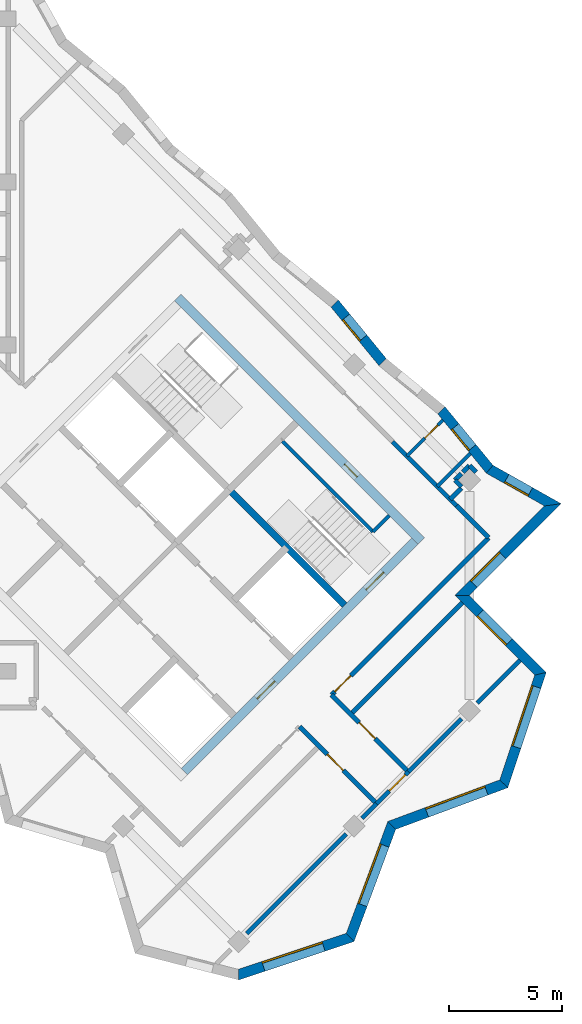
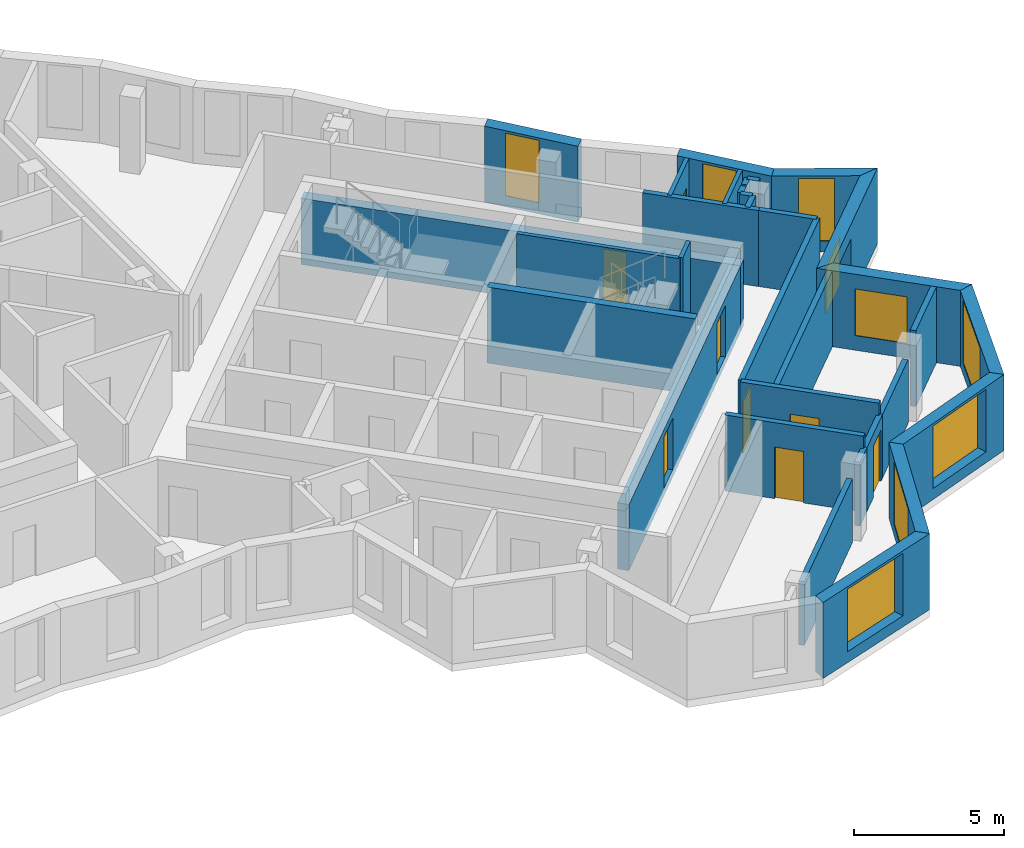
# One storey, part 7 of 12: 32 walls, 9 windows, 8 doors, 17 openings.
"""IFC4 building model written with IfcOpenShell, lengths in metres."""

from ifc_helpers import new_model, si_unit, direction, frame, frame_2d, origin, place, context, subcontext, project, spatial, polyline, rectangle, outline, extrude, material, layer, layer_set, type_object, element, fill, save


model = new_model("IFC4")

# Units and contexts
model_context = context("Model", 3, precision=1e-05, world=origin(), true_north=direction((0.0, 1.0)))
body_context = subcontext(model_context, "Body", "Model", "MODEL_VIEW")
ifc_project = project(units=[si_unit("LENGTHUNIT", "METRE"), si_unit("AREAUNIT", "SQUARE_METRE"), si_unit("VOLUMEUNIT", "CUBIC_METRE"), si_unit("PLANEANGLEUNIT", "RADIAN"), si_unit("MASSUNIT", "GRAM", prefix="KILO")], contexts=[model_context])

# Site, building, storey
site_placement = place(None, origin())
site = spatial("IfcSite", under=ifc_project, at=site_placement, CompositionType="ELEMENT")
building_placement = place(site_placement, origin())
building = spatial("IfcBuilding", under=site, at=building_placement, Name="Windrow Commons", CompositionType="ELEMENT")
storey_placement = place(building_placement, frame((0.0, 0.0, 247.2)))
storey = spatial("IfcBuildingStorey", under=building, at=storey_placement, Name="L67", CompositionType="ELEMENT", Elevation=247.2)

# Wall, opening, window
ifc_material_1 = material(Name="Brick masonry, red clay brick", Category="masonry")
ifc_layer_1 = layer(ifc_material_1, 0.45)
ifc_layer_set_1 = layer_set([ifc_layer_1], Name="Brick facade wall 450")
wall_type_1 = type_object("IfcWallType", Name="Brick facade wall 450", PredefinedType="SOLIDWALL", material=ifc_layer_set_1)
wall_1_placement = place(storey_placement, frame((89.3741, 29.808, 0.0), z_axis=(0.0, 0.0, 1.0), x_axis=(0.9486832981, 0.316227766, 0.0)))
wall_1 = element("IfcWall", 1, at=wall_1_placement, inside=storey, type_object=wall_type_1, Name="Brick facade wall L67 1", PredefinedType="SOLIDWALL", context=body_context, shape_type="SweptSolid", body=[
    extrude(outline(polyline([(-0.0664, -0.225), (5.3002, -0.225), (5.0846, 0.225), (0.0664, 0.225), (-0.0664, -0.225)])), origin(), (0.0, 0.0, 1.0), 3.1),
])
opening_1_placement = place(wall_1_placement, frame((1.1571, 0.0, 0.45)))
opening_1 = element("IfcOpeningElement", 2, at=opening_1_placement, cuts=wall_1, Name="Opening W1V", PredefinedType="OPENING", context=body_context, shape_type="SweptSolid", body=[
    extrude(rectangle(XDim=2.8, YDim=2.55, at=frame_2d((1.4, 1.275))), frame((0.0, 0.235, 0.0), z_axis=(0.0, -1.0, 0.0), x_axis=(1.0, 0.0, 0.0)), (0.0, 0.0, 1.0), 0.47),
])
ifc_material_2 = material(Name="Clear float glass in anodised aluminium frame", Category="aluminium")
window_type_1 = type_object("IfcWindowType", Name="Window W1V bedroom 2800x2550", PartitioningType="SINGLE_PANEL", PredefinedType="WINDOW", material=ifc_material_2)
window_1_placement = place(opening_1_placement, origin())
window_1 = element("IfcWindow", 3, at=window_1_placement, inside=storey, type_object=window_type_1, Name="Window L67 1.1", OverallHeight=2.55, OverallWidth=2.8, PartitioningType="SINGLE_PANEL", PredefinedType="WINDOW", context=body_context, shape_type="SweptSolid", body=[
    extrude(rectangle(XDim=2.8, YDim=2.55, at=frame_2d((1.4, 1.275))), frame((0.0, 0.205, 0.0), z_axis=(0.0, -1.0, 0.0), x_axis=(1.0, 0.0, 0.0)), (0.0, 0.0, 1.0), 0.06),
])
fill(opening_1, window_1)

wall_2_placement = place(storey_placement, frame((94.3001, 31.45, 0.0), z_axis=(0.0, 0.0, 1.0), x_axis=(0.3481927166, 0.9374229739, 0.0)))
wall_2 = element("IfcWall", 4, at=wall_2_placement, inside=storey, type_object=wall_type_1, Name="Brick facade wall L67 2", PredefinedType="SOLIDWALL", context=body_context, shape_type="SweptSolid", body=[
    extrude(outline(polyline([(-0.1078, -0.225), (5.1724, -0.225), (5.3786, 0.225), (0.1078, 0.225), (-0.1078, -0.225)])), origin(), (0.0, 0.0, 1.0), 3.1),
])
opening_2_placement = place(wall_2_placement, frame((1.5336, 0.0, 0.45)))
opening_2 = element("IfcOpeningElement", 5, at=opening_2_placement, cuts=wall_2, Name="Opening W1V", PredefinedType="OPENING", context=body_context, shape_type="SweptSolid", body=[
    extrude(rectangle(XDim=2.8, YDim=2.55, at=frame_2d((1.4, 1.275))), frame((0.0, 0.235, 0.0), z_axis=(0.0, -1.0, 0.0), x_axis=(1.0, 0.0, 0.0)), (0.0, 0.0, 1.0), 0.47),
])
window_2_placement = place(opening_2_placement, origin())
window_2 = element("IfcWindow", 6, at=window_2_placement, inside=storey, type_object=window_type_1, Name="Window L67 2.1", OverallHeight=2.55, OverallWidth=2.8, PartitioningType="SINGLE_PANEL", PredefinedType="WINDOW", context=body_context, shape_type="SweptSolid", body=[
    extrude(rectangle(XDim=2.8, YDim=2.55, at=frame_2d((1.4, 1.275))), frame((0.0, 0.205, 0.0), z_axis=(0.0, -1.0, 0.0), x_axis=(1.0, 0.0, 0.0)), (0.0, 0.0, 1.0), 0.06),
])
fill(opening_2, window_2)

wall_3_placement = place(storey_placement, frame((96.137, 36.3954, 0.0), z_axis=(0.0, 0.0, 1.0), x_axis=(0.937429161, 0.3481760591, 0.0)))
wall_3 = element("IfcWall", 7, at=wall_3_placement, inside=storey, type_object=wall_type_1, Name="Brick facade wall L67 3", PredefinedType="SOLIDWALL", context=body_context, shape_type="SweptSolid", body=[
    extrude(outline(polyline([(0.1031, -0.225), (5.3833, -0.225), (5.1677, 0.225), (-0.1031, 0.225), (0.1031, -0.225)])), origin(), (0.0, 0.0, 1.0), 3.1),
])
opening_3_placement = place(wall_3_placement, frame((1.6509, 0.0, 0.45)))
opening_3 = element("IfcOpeningElement", 8, at=opening_3_placement, cuts=wall_3, Name="Opening W1V", PredefinedType="OPENING", context=body_context, shape_type="SweptSolid", body=[
    extrude(rectangle(XDim=2.8, YDim=2.55, at=frame_2d((1.4, 1.275))), frame((0.0, 0.235, 0.0), z_axis=(0.0, -1.0, 0.0), x_axis=(1.0, 0.0, 0.0)), (0.0, 0.0, 1.0), 0.47),
])
window_3_placement = place(opening_3_placement, origin())
window_3 = element("IfcWindow", 9, at=window_3_placement, inside=storey, type_object=window_type_1, Name="Window L67 3.1", OverallHeight=2.55, OverallWidth=2.8, PartitioningType="SINGLE_PANEL", PredefinedType="WINDOW", context=body_context, shape_type="SweptSolid", body=[
    extrude(rectangle(XDim=2.8, YDim=2.55, at=frame_2d((1.4, 1.275))), frame((0.0, 0.205, 0.0), z_axis=(0.0, -1.0, 0.0), x_axis=(1.0, 0.0, 0.0)), (0.0, 0.0, 1.0), 0.06),
])
fill(opening_3, window_3)

wall_4_placement = place(storey_placement, frame((101.0824, 38.2322, 0.0), z_axis=(0.0, 0.0, 1.0), x_axis=(0.316227766, 0.9486832981, 0.0)))
wall_4 = element("IfcWall", 10, at=wall_4_placement, inside=storey, type_object=wall_type_1, Name="Brick facade wall L67 4", PredefinedType="SOLIDWALL", context=body_context, shape_type="SweptSolid", body=[
    extrude(outline(polyline([(-0.1078, -0.225), (5.2588, -0.225), (4.9807, 0.225), (0.1078, 0.225), (-0.1078, -0.225)])), origin(), (0.0, 0.0, 1.0), 3.1),
])
opening_4_placement = place(wall_4_placement, frame((1.7112, 0.0, 0.45)))
opening_4 = element("IfcOpeningElement", 11, at=opening_4_placement, cuts=wall_4, Name="Opening W1V", PredefinedType="OPENING", context=body_context, shape_type="SweptSolid", body=[
    extrude(rectangle(XDim=2.8, YDim=2.55, at=frame_2d((1.4, 1.275))), frame((0.0, 0.235, 0.0), z_axis=(0.0, -1.0, 0.0), x_axis=(1.0, 0.0, 0.0)), (0.0, 0.0, 1.0), 0.47),
])
window_4_placement = place(opening_4_placement, origin())
window_4 = element("IfcWindow", 12, at=window_4_placement, inside=storey, type_object=window_type_1, Name="Window L67 4.1", OverallHeight=2.55, OverallWidth=2.8, PartitioningType="SINGLE_PANEL", PredefinedType="WINDOW", context=body_context, shape_type="SweptSolid", body=[
    extrude(rectangle(XDim=2.8, YDim=2.55, at=frame_2d((1.4, 1.275))), frame((0.0, 0.205, 0.0), z_axis=(0.0, -1.0, 0.0), x_axis=(1.0, 0.0, 0.0)), (0.0, 0.0, 1.0), 0.06),
])
fill(opening_4, window_4)

wall_5_placement = place(storey_placement, frame((102.7014, 43.0892, 0.0), z_axis=(0.0, 0.0, 1.0), x_axis=(-0.7070965479, 0.7071170144, 0.0)))
wall_5 = element("IfcWall", 13, at=wall_5_placement, inside=storey, type_object=wall_type_1, Name="Brick facade wall L67 5", PredefinedType="SOLIDWALL", context=body_context, shape_type="SweptSolid", body=[
    extrude(outline(polyline([(-0.1391, -0.225), (4.661, -0.225), (5.111, 0.225), (0.1391, 0.225), (-0.1391, -0.225)])), origin(), (0.0, 0.0, 1.0), 3.1),
])
opening_5_placement = place(wall_5_placement, frame((1.9735, 0.0, 0.6)))
opening_5 = element("IfcOpeningElement", 14, at=opening_5_placement, cuts=wall_5, Name="Opening W1L", PredefinedType="OPENING", context=body_context, shape_type="SweptSolid", body=[
    extrude(rectangle(XDim=1.8, YDim=1.9, at=frame_2d((0.9, 0.95))), frame((0.0, 0.235, 0.0), z_axis=(0.0, -1.0, 0.0), x_axis=(1.0, 0.0, 0.0)), (0.0, 0.0, 1.0), 0.47),
])
ifc_material_3 = material(Name="Clear float glass in anodised aluminium frame", Category="aluminium")
window_type_2 = type_object("IfcWindowType", Name="Window W1L bedroom 1800x1900", PartitioningType="SINGLE_PANEL", PredefinedType="WINDOW", material=ifc_material_3)
window_5_placement = place(opening_5_placement, origin())
window_5 = element("IfcWindow", 15, at=window_5_placement, inside=storey, type_object=window_type_2, Name="Window L67 5.1", OverallHeight=1.9, OverallWidth=1.8, PartitioningType="SINGLE_PANEL", PredefinedType="WINDOW", context=body_context, shape_type="SweptSolid", body=[
    extrude(rectangle(XDim=1.8, YDim=1.9, at=frame_2d((0.9, 0.95))), frame((0.0, 0.205, 0.0), z_axis=(0.0, -1.0, 0.0), x_axis=(1.0, 0.0, 0.0)), (0.0, 0.0, 1.0), 0.06),
])
fill(opening_5, window_5)

wall_6_placement = place(storey_placement, frame((99.2465, 46.5442, 0.0), z_axis=(0.0, 0.0, 1.0), x_axis=(0.7071067812, 0.7071067812, 0.0)))
wall_6 = element("IfcWall", 16, at=wall_6_placement, inside=storey, type_object=wall_type_1, Name="Brick facade wall L67 6", PredefinedType="SOLIDWALL", context=body_context, shape_type="SweptSolid", body=[
    extrude(outline(polyline([(0.225, -0.225), (5.955, -0.225), (5.362, 0.225), (-0.225, 0.225), (0.225, -0.225)])), origin(), (0.0, 0.0, 1.0), 3.1),
])
opening_6_placement = place(wall_6_placement, frame((0.7125, 0.0, 0.6)))
opening_6 = element("IfcOpeningElement", 17, at=opening_6_placement, cuts=wall_6, Name="Opening W1L", PredefinedType="OPENING", context=body_context, shape_type="SweptSolid", body=[
    extrude(rectangle(XDim=1.8, YDim=1.9, at=frame_2d((0.9, 0.95))), frame((0.0, 0.235, 0.0), z_axis=(0.0, -1.0, 0.0), x_axis=(1.0, 0.0, 0.0)), (0.0, 0.0, 1.0), 0.47),
])
window_6_placement = place(opening_6_placement, origin())
window_6 = element("IfcWindow", 18, at=window_6_placement, inside=storey, type_object=window_type_2, Name="Window L67 6.1", OverallHeight=1.9, OverallWidth=1.8, PartitioningType="SINGLE_PANEL", PredefinedType="WINDOW", context=body_context, shape_type="SweptSolid", body=[
    extrude(rectangle(XDim=1.8, YDim=1.9, at=frame_2d((0.9, 0.95))), frame((0.0, 0.205, 0.0), z_axis=(0.0, -1.0, 0.0), x_axis=(1.0, 0.0, 0.0)), (0.0, 0.0, 1.0), 0.06),
])
fill(opening_6, window_6)

wall_7_placement = place(storey_placement, frame((103.2477, 50.5454, 0.0), z_axis=(0.0, 0.0, 1.0), x_axis=(-0.8713209921, 0.4907134894, 0.0)))
wall_7 = element("IfcWall", 19, at=wall_7_placement, inside=storey, type_object=wall_type_1, Name="Brick facade wall L67 7", PredefinedType="SOLIDWALL", context=body_context, shape_type="SweptSolid", body=[
    extrude(outline(polyline([(-0.2965, -0.225), (3.1592, -0.225), (3.2437, 0.225), (0.2965, 0.225), (-0.2965, -0.225)])), origin(), (0.0, 0.0, 1.0), 3.1),
])
opening_7_placement = place(wall_7_placement, frame((1.149, 0.0, 0.45)))
opening_7 = element("IfcOpeningElement", 20, at=opening_7_placement, cuts=wall_7, Name="Opening W7F", PredefinedType="OPENING", context=body_context, shape_type="SweptSolid", body=[
    extrude(rectangle(XDim=1.2, YDim=2.55, at=frame_2d((0.6, 1.275))), frame((0.0, 0.235, 0.0), z_axis=(0.0, -1.0, 0.0), x_axis=(1.0, 0.0, 0.0)), (0.0, 0.0, 1.0), 0.47),
])
ifc_material_4 = material(Name="Clear float glass in anodised aluminium frame", Category="aluminium")
window_type_3 = type_object("IfcWindowType", Name="Window W7 notch 1200x2550", PartitioningType="SINGLE_PANEL", PredefinedType="WINDOW", material=ifc_material_4)
window_7_placement = place(opening_7_placement, origin())
window_7 = element("IfcWindow", 21, at=window_7_placement, inside=storey, type_object=window_type_3, Name="Window L67 7.1", OverallHeight=2.55, OverallWidth=1.2, PartitioningType="SINGLE_PANEL", PredefinedType="WINDOW", context=body_context, shape_type="SweptSolid", body=[
    extrude(rectangle(XDim=1.2, YDim=2.55, at=frame_2d((0.6, 1.275))), frame((0.0, 0.205, 0.0), z_axis=(0.0, -1.0, 0.0), x_axis=(1.0, 0.0, 0.0)), (0.0, 0.0, 1.0), 0.06),
])
fill(opening_7, window_7)

wall_8_placement = place(storey_placement, frame((100.4582, 52.1164, 0.0), z_axis=(0.0, 0.0, 1.0), x_axis=(-0.6339011425, 0.7734140815, 0.0)))
wall_8 = element("IfcWall", 22, at=wall_8_placement, inside=storey, type_object=wall_type_1, Name="Brick facade wall L67 8", PredefinedType="SOLIDWALL", context=body_context, shape_type="SweptSolid", body=[
    extrude(outline(polyline([(0.0423, -0.225), (3.3868, -0.225), (3.3422, 0.225), (-0.0423, 0.225), (0.0423, -0.225)])), origin(), (0.0, 0.0, 1.0), 3.1),
])
opening_8_placement = place(wall_8_placement, frame((1.2211, 0.0, 0.45)))
opening_8 = element("IfcOpeningElement", 23, at=opening_8_placement, cuts=wall_8, Name="Opening W7F", PredefinedType="OPENING", context=body_context, shape_type="SweptSolid", body=[
    extrude(rectangle(XDim=1.2, YDim=2.55, at=frame_2d((0.6, 1.275))), frame((0.0, 0.235, 0.0), z_axis=(0.0, -1.0, 0.0), x_axis=(1.0, 0.0, 0.0)), (0.0, 0.0, 1.0), 0.47),
])
window_8_placement = place(opening_8_placement, origin())
window_8 = element("IfcWindow", 24, at=window_8_placement, inside=storey, type_object=window_type_3, Name="Window L67 8.1", OverallHeight=2.55, OverallWidth=1.2, PartitioningType="SINGLE_PANEL", PredefinedType="WINDOW", context=body_context, shape_type="SweptSolid", body=[
    extrude(rectangle(XDim=1.2, YDim=2.55, at=frame_2d((0.6, 1.275))), frame((0.0, 0.205, 0.0), z_axis=(0.0, -1.0, 0.0), x_axis=(1.0, 0.0, 0.0)), (0.0, 0.0, 1.0), 0.06),
])
fill(opening_8, window_8)

wall_9_placement = place(storey_placement, frame((95.7387, 56.8386, 0.0), z_axis=(0.0, 0.0, 1.0), x_axis=(-0.6338872028, 0.7734255065, 0.0)))
wall_9 = element("IfcWall", 25, at=wall_9_placement, inside=storey, type_object=wall_type_1, Name="Brick facade wall L67 10", PredefinedType="SOLIDWALL", context=body_context, shape_type="SweptSolid", body=[
    extrude(outline(polyline([(0.0223, -0.225), (3.3669, -0.225), (3.3222, 0.225), (-0.0223, 0.225), (0.0223, -0.225)])), origin(), (0.0, 0.0, 1.0), 3.1),
])
opening_9_placement = place(wall_9_placement, frame((1.3708, 0.0, 0.45)))
opening_9 = element("IfcOpeningElement", 26, at=opening_9_placement, cuts=wall_9, Name="Opening W7F", PredefinedType="OPENING", context=body_context, shape_type="SweptSolid", body=[
    extrude(rectangle(XDim=1.2, YDim=2.55, at=frame_2d((0.6, 1.275))), frame((0.0, 0.235, 0.0), z_axis=(0.0, -1.0, 0.0), x_axis=(1.0, 0.0, 0.0)), (0.0, 0.0, 1.0), 0.47),
])
window_9_placement = place(opening_9_placement, origin())
window_9 = element("IfcWindow", 27, at=window_9_placement, inside=storey, type_object=window_type_3, Name="Window L67 10.1", OverallHeight=2.55, OverallWidth=1.2, PartitioningType="SINGLE_PANEL", PredefinedType="WINDOW", context=body_context, shape_type="SweptSolid", body=[
    extrude(rectangle(XDim=1.2, YDim=2.55, at=frame_2d((0.6, 1.275))), frame((0.0, 0.205, 0.0), z_axis=(0.0, -1.0, 0.0), x_axis=(1.0, 0.0, 0.0)), (0.0, 0.0, 1.0), 0.06),
])
fill(opening_9, window_9)

# Wall, opening, door
ifc_material_5 = material(Name="Blockwork partition", Category="masonry")
ifc_layer_2 = layer(ifc_material_5, 0.2)
ifc_layer_set_2 = layer_set([ifc_layer_2], Name="IW-CORRIDOR-200")
wall_type_2 = type_object("IfcWallType", Name="IW-CORRIDOR-200", PredefinedType="PARTITIONING", material=ifc_layer_set_2)
wall_10_placement = place(storey_placement, frame((93.4829, 42.1611, 0.0), z_axis=(0.0, 0.0, 1.0), x_axis=(0.7071067812, 0.7071067812, 0.0)))
wall_10 = element("IfcWall", 28, at=wall_10_placement, inside=storey, type_object=wall_type_2, Name="W-L67-W005", PredefinedType="PARTITIONING", context=body_context, shape_type="SweptSolid", body=[
    extrude(rectangle(XDim=9.8005, YDim=0.2, at=frame_2d((4.9002, 0.0))), origin(), (0.0, 0.0, 1.0), 3.1),
])
opening_10_placement = place(wall_10_placement, frame((0.1926, 0.0, 0.0)))
opening_10 = element("IfcOpeningElement", 29, at=opening_10_placement, cuts=wall_10, Name="Opening D310F", PredefinedType="OPENING", context=body_context, shape_type="SweptSolid", body=[
    extrude(rectangle(XDim=1.0, YDim=2.1, at=frame_2d((0.5, 1.05))), frame((0.0, 0.11, 0.0), z_axis=(0.0, -1.0, 0.0), x_axis=(1.0, 0.0, 0.0)), (0.0, 0.0, 1.0), 0.22),
])
ifc_material_6 = material(Name="Timber door leaf", Category="wood")
door_type_1 = type_object("IfcDoorType", Name="DT-AMENITY-1000", OperationType="SINGLE_SWING_LEFT", PredefinedType="DOOR", material=ifc_material_6)
door_1_placement = place(opening_10_placement, origin())
door_1 = element("IfcDoor", 30, at=door_1_placement, inside=storey, type_object=door_type_1, Name="D-L67-D026", OperationType="SINGLE_SWING_LEFT", OverallHeight=2.1, OverallWidth=1.0, PredefinedType="DOOR", context=body_context, shape_type="SweptSolid", body=[
    extrude(rectangle(XDim=1.0, YDim=2.1, at=frame_2d((0.5, 1.05))), frame((0.0, 0.025, 0.0), z_axis=(0.0, -1.0, 0.0), x_axis=(1.0, 0.0, 0.0)), (0.0, 0.0, 1.0), 0.05),
])
fill(opening_10, door_1)

wall_11_placement = place(storey_placement, frame((93.4806, 42.1566, 0.0), z_axis=(0.0, 0.0, 1.0), x_axis=(0.7071067812, -0.7071067812, 0.0)))
wall_11 = element("IfcWall", 31, at=wall_11_placement, inside=storey, type_object=wall_type_2, Name="W-L67-W020", PredefinedType="PARTITIONING", context=body_context, shape_type="SweptSolid", body=[
    extrude(rectangle(XDim=4.7998, YDim=0.2, at=frame_2d((2.3999, 0.0))), origin(), (0.0, 0.0, 1.0), 3.1),
])
opening_11_placement = place(wall_11_placement, frame((1.7246, 0.0, 0.0)))
opening_11 = element("IfcOpeningElement", 32, at=opening_11_placement, cuts=wall_11, Name="Opening D310F", PredefinedType="OPENING", context=body_context, shape_type="SweptSolid", body=[
    extrude(rectangle(XDim=1.0, YDim=2.1, at=frame_2d((0.5, 1.05))), frame((0.0, 0.11, 0.0), z_axis=(0.0, -1.0, 0.0), x_axis=(1.0, 0.0, 0.0)), (0.0, 0.0, 1.0), 0.22),
])
door_2_placement = place(opening_11_placement, origin())
door_2 = element("IfcDoor", 33, at=door_2_placement, inside=storey, type_object=door_type_1, Name="D-L67-D027", OperationType="SINGLE_SWING_RIGHT", OverallHeight=2.1, OverallWidth=1.0, PredefinedType="DOOR", context=body_context, shape_type="SweptSolid", body=[
    extrude(rectangle(XDim=1.0, YDim=2.1, at=frame_2d((0.5, 1.05))), frame((0.0, 0.025, 0.0), z_axis=(0.0, -1.0, 0.0), x_axis=(1.0, 0.0, 0.0)), (0.0, 0.0, 1.0), 0.05),
])
fill(opening_11, door_2)

wall_12_placement = place(storey_placement, frame((92.0735, 40.7495, 0.0), z_axis=(0.0, 0.0, 1.0), x_axis=(0.7071067812, -0.7071067812, 0.0)))
wall_12 = element("IfcWall", 34, at=wall_12_placement, inside=storey, type_object=wall_type_2, Name="W-L67-W021", PredefinedType="PARTITIONING", context=body_context, shape_type="SweptSolid", body=[
    extrude(rectangle(XDim=4.7998, YDim=0.2, at=frame_2d((2.3999, 0.0))), origin(), (0.0, 0.0, 1.0), 3.1),
])
opening_12_placement = place(wall_12_placement, frame((1.7246, 0.0, 0.0)))
opening_12 = element("IfcOpeningElement", 35, at=opening_12_placement, cuts=wall_12, Name="Opening D310F", PredefinedType="OPENING", context=body_context, shape_type="SweptSolid", body=[
    extrude(rectangle(XDim=1.0, YDim=2.1, at=frame_2d((0.5, 1.05))), frame((0.0, 0.11, 0.0), z_axis=(0.0, -1.0, 0.0), x_axis=(1.0, 0.0, 0.0)), (0.0, 0.0, 1.0), 0.22),
])
door_3_placement = place(opening_12_placement, origin())
door_3 = element("IfcDoor", 36, at=door_3_placement, inside=storey, type_object=door_type_1, Name="D-L67-D025", OperationType="SINGLE_SWING_LEFT", OverallHeight=2.1, OverallWidth=1.0, PredefinedType="DOOR", context=body_context, shape_type="SweptSolid", body=[
    extrude(rectangle(XDim=1.0, YDim=2.1, at=frame_2d((0.5, 1.05))), frame((0.0, 0.025, 0.0), z_axis=(0.0, -1.0, 0.0), x_axis=(1.0, 0.0, 0.0)), (0.0, 0.0, 1.0), 0.05),
])
fill(opening_12, door_3)

# Walls
wall_13_placement = place(storey_placement, frame((96.1673, 53.3293, 0.0), z_axis=(0.0, 0.0, 1.0), x_axis=(0.7071067812, -0.7071067812, 0.0)))
element("IfcWall", 37, at=wall_13_placement, inside=storey, type_object=wall_type_2, Name="W-L67-W030", PredefinedType="PARTITIONING", context=body_context, shape_type="SweptSolid", body=[
    extrude(rectangle(XDim=3.9994, YDim=0.2, at=frame_2d((1.9997, 0.0))), origin(), (0.0, 0.0, 1.0), 3.1),
])
wall_14_placement = place(storey_placement, frame((98.9983, 50.5043, 0.0), z_axis=(0.0, 0.0, 1.0), x_axis=(0.7076063266, -0.7066068826, 0.0)))
element("IfcWall", 38, at=wall_14_placement, inside=storey, type_object=wall_type_2, Name="W-L67-W065", PredefinedType="PARTITIONING", context=body_context, shape_type="SweptSolid", body=[
    extrude(rectangle(XDim=2.0011, YDim=0.2, at=frame_2d((1.0006, 0.0))), origin(), (0.0, 0.0, 1.0), 3.1),
])

# Wall, opening, door
wall_15_placement = place(storey_placement, frame((95.463, 37.353, 0.0), z_axis=(0.0, 0.0, 1.0), x_axis=(0.7071067812, 0.7071067812, 0.0)))
wall_15 = element("IfcWall", 39, at=wall_15_placement, inside=storey, type_object=wall_type_2, Name="W-L67-W067", PredefinedType="PARTITIONING", context=body_context, shape_type="SweptSolid", body=[
    extrude(rectangle(XDim=1.9997, YDim=0.2, at=frame_2d((0.9999, 0.0))), origin(), (0.0, 0.0, 1.0), 2.6),
])
opening_13_placement = place(wall_15_placement, frame((0.8023, 0.0, 0.0)))
opening_13 = element("IfcOpeningElement", 40, at=opening_13_placement, cuts=wall_15, Name="Opening D310F", PredefinedType="OPENING", context=body_context, shape_type="SweptSolid", body=[
    extrude(rectangle(XDim=1.0, YDim=2.1, at=frame_2d((0.5, 1.05))), frame((0.0, 0.11, 0.0), z_axis=(0.0, -1.0, 0.0), x_axis=(1.0, 0.0, 0.0)), (0.0, 0.0, 1.0), 0.22),
])
door_4_placement = place(opening_13_placement, origin())
door_4 = element("IfcDoor", 41, at=door_4_placement, inside=storey, type_object=door_type_1, Name="D-L67-D028", OperationType="SINGLE_SWING_RIGHT", OverallHeight=2.1, OverallWidth=1.0, PredefinedType="DOOR", context=body_context, shape_type="SweptSolid", body=[
    extrude(rectangle(XDim=1.0, YDim=2.1, at=frame_2d((0.5, 1.05))), frame((0.0, 0.025, 0.0), z_axis=(0.0, -1.0, 0.0), x_axis=(1.0, 0.0, 0.0)), (0.0, 0.0, 1.0), 0.05),
])
fill(opening_13, door_4)

ifc_material_7 = material(Name="Blockwork partition", Category="masonry")
ifc_layer_3 = layer(ifc_material_7, 0.15)
ifc_layer_set_3 = layer_set([ifc_layer_3], Name="IW-ENSUITE-150")
wall_type_3 = type_object("IfcWallType", Name="IW-ENSUITE-150", PredefinedType="PARTITIONING", material=ifc_layer_set_3)
wall_16_placement = place(storey_placement, frame((96.8057, 52.6963, 0.0), z_axis=(0.0, 0.0, 1.0), x_axis=(0.7070844922, 0.7071290695, 0.0)))
wall_16 = element("IfcWall", 42, at=wall_16_placement, inside=storey, type_object=wall_type_3, Name="W-L67-W056", PredefinedType="PARTITIONING", context=body_context, shape_type="SweptSolid", body=[
    extrude(rectangle(XDim=2.2433, YDim=0.15, at=frame_2d((1.1217, 0.0))), origin(), (0.0, 0.0, 1.0), 3.1),
])
opening_14_placement = place(wall_16_placement, frame((1.1277, 0.0, 0.0)))
opening_14 = element("IfcOpeningElement", 43, at=opening_14_placement, cuts=wall_16, Name="Opening D208N", PredefinedType="OPENING", context=body_context, shape_type="SweptSolid", body=[
    extrude(rectangle(XDim=0.8, YDim=2.1, at=frame_2d((0.4, 1.05))), frame((0.0, 0.085, 0.0), z_axis=(0.0, -1.0, 0.0), x_axis=(1.0, 0.0, 0.0)), (0.0, 0.0, 1.0), 0.17),
])
ifc_material_8 = material(Name="Timber door leaf", Category="wood")
door_type_2 = type_object("IfcDoorType", Name="DT-ENSUITE-800", OperationType="SINGLE_SWING_LEFT", PredefinedType="DOOR", material=ifc_material_8)
door_5_placement = place(opening_14_placement, origin())
door_5 = element("IfcDoor", 44, at=door_5_placement, inside=storey, type_object=door_type_2, Name="D-L67-D021", OperationType="SINGLE_SWING_RIGHT", OverallHeight=2.1, OverallWidth=0.8, PredefinedType="DOOR", context=body_context, shape_type="SweptSolid", body=[
    extrude(rectangle(XDim=0.8, YDim=2.1, at=frame_2d((0.4, 1.05))), frame((0.0, 0.025, 0.0), z_axis=(0.0, -1.0, 0.0), x_axis=(1.0, 0.0, 0.0)), (0.0, 0.0, 1.0), 0.05),
])
fill(opening_14, door_5)

# Walls
wall_17_placement = place(storey_placement, frame((98.1492, 51.3528, 0.0), z_axis=(0.0, 0.0, 1.0), x_axis=(0.707082449, 0.7071311126, 0.0)))
element("IfcWall", 45, at=wall_17_placement, inside=storey, type_object=wall_type_3, Name="W-L67-W064", PredefinedType="PARTITIONING", context=body_context, shape_type="SweptSolid", body=[
    extrude(rectangle(XDim=2.0549, YDim=0.15, at=frame_2d((1.0274, 0.0))), origin(), (0.0, 0.0, 1.0), 3.1),
])
ifc_material_9 = material(Name="Blockwork partition", Category="masonry")
ifc_layer_4 = layer(ifc_material_9, 0.2)
ifc_layer_set_4 = layer_set([ifc_layer_4], Name="IW-PARTY-200")
wall_type_4 = type_object("IfcWallType", Name="IW-PARTY-200", PredefinedType="PARTITIONING", material=ifc_layer_set_4)
wall_18_placement = place(storey_placement, frame((94.3314, 41.3126, 0.0), z_axis=(0.0, 0.0, 1.0), x_axis=(0.7071139756, 0.7070995867, 0.0)))
element("IfcWall", 46, at=wall_18_placement, inside=storey, type_object=wall_type_4, Name="W-L67-W012", PredefinedType="PARTITIONING", context=body_context, shape_type="SweptSolid", body=[
    extrude(rectangle(XDim=6.9498, YDim=0.2, at=frame_2d((3.4749, 0.0))), origin(), (0.0, 0.0, 1.0), 3.1),
])
wall_19_placement = place(storey_placement, frame((89.731, 31.621, 0.0), z_axis=(0.0, 0.0, 1.0), x_axis=(0.7071067812, 0.7071067812, 0.0)))
element("IfcWall", 47, at=wall_19_placement, inside=storey, type_object=wall_type_4, Name="W-L67-W015", PredefinedType="PARTITIONING", context=body_context, shape_type="SweptSolid", body=[
    extrude(rectangle(XDim=6.2112, YDim=0.2, at=frame_2d((3.1056, 0.0))), origin(), (0.0, 0.0, 1.0), 2.6),
])
wall_20_placement = place(storey_placement, frame((96.877, 38.767, 0.0), z_axis=(0.0, 0.0, 1.0), x_axis=(0.7071067812, 0.7071067812, 0.0)))
element("IfcWall", 48, at=wall_20_placement, inside=storey, type_object=wall_type_4, Name="W-L67-W038", PredefinedType="PARTITIONING", context=body_context, shape_type="SweptSolid", body=[
    extrude(rectangle(XDim=3.3064, YDim=0.2, at=frame_2d((1.6532, 0.0))), origin(), (0.0, 0.0, 1.0), 2.6),
])
wall_21_placement = place(storey_placement, frame((99.913, 41.803, 0.0), z_axis=(0.0, 0.0, 1.0), x_axis=(0.7071067812, 0.7071067812, 0.0)))
element("IfcWall", 49, at=wall_21_placement, inside=storey, type_object=wall_type_4, Name="W-L67-W041", PredefinedType="PARTITIONING", context=body_context, shape_type="SweptSolid", body=[
    extrude(rectangle(XDim=2.6562, YDim=0.2, at=frame_2d((1.3281, 0.0))), origin(), (0.0, 0.0, 1.0), 3.1),
])
wall_22_placement = place(storey_placement, frame((94.823, 36.713, 0.0), z_axis=(0.0, 0.0, 1.0), x_axis=(0.7071067812, 0.7071067812, 0.0)))
element("IfcWall", 50, at=wall_22_placement, inside=storey, type_object=wall_type_4, Name="W-L67-W080", PredefinedType="PARTITIONING", context=body_context, shape_type="SweptSolid", body=[
    extrude(rectangle(XDim=0.9051, YDim=0.2, at=frame_2d((0.4526, 0.0))), origin(), (0.0, 0.0, 1.0), 2.6),
])
wall_23_placement = place(storey_placement, frame((98.7136, 50.7884, 0.0), z_axis=(0.0, 0.0, 1.0), x_axis=(0.7056883165, 0.7085224061, 0.0)))
element("IfcWall", 51, at=wall_23_placement, inside=storey, type_object=wall_type_4, Name="W-L67-W084", PredefinedType="PARTITIONING", context=body_context, shape_type="SweptSolid", body=[
    extrude(rectangle(XDim=0.7057, YDim=0.2, at=frame_2d((0.3528, 0.0))), origin(), (0.0, 0.0, 1.0), 3.1),
])
for number, where, z_axis, x_axis, name in (
    (52, (99.5681, 52.2761, 0.0), (0.0, 0.0, 1.0), (0.7071067812, -0.7071067812, 0.0), "W-L67-W103"),
    (53, (99.2777, 51.9863, 0.0), (0.0, 0.0, 1.0), (0.7071067812, 0.7071067812, 0.0), "W-L67-W104"),
    (54, (98.9246, 51.6326, 0.0), (0.0, 0.0, 1.0), (0.7071067812, -0.7071067812, 0.0), "W-L67-W105"),
    (55, (98.9237, 51.6323, 0.0), (0.0, 0.0, 1.0), (0.7071067812, 0.7071067812, 0.0), "W-L67-W106"),
):
    element("IfcWall", number, at=place(storey_placement, frame(where, z_axis=z_axis, x_axis=x_axis)), inside=storey, type_object=wall_type_4, Name=name, PredefinedType="PARTITIONING", context=body_context, shape_type="SweptSolid", body=[
        extrude(rectangle(XDim=0.4101, YDim=0.2, at=frame_2d((0.2051, 0.0))), origin(), (0.0, 0.0, 1.0), 3.1),
    ])

# Wall, opening, door
ifc_material_10 = material(Name="Concrete C40/50", Category="concrete")
ifc_layer_5 = layer(ifc_material_10, 0.4)
ifc_layer_set_5 = layer_set([ifc_layer_5], Name="RC CORE WALL 400 C40/50")
wall_type_5 = type_object("IfcWallType", Name="RC CORE WALL 400 C40/50", PredefinedType="SHEAR", material=ifc_layer_set_5)
wall_24_placement = place(storey_placement, frame((86.6953, 59.6963, -0.3), z_axis=(0.0, 0.0, 1.0), x_axis=(0.7071100706, -0.7071034917, 0.0)))
wall_24 = element("IfcWall", 56, at=wall_24_placement, inside=storey, type_object=wall_type_5, Name="Core B wall outer-N", PredefinedType="SHEAR", context=body_context, shape_type="SweptSolid", body=[
    extrude(rectangle(XDim=15.2, YDim=0.4, at=frame_2d((7.6, 0.0))), origin(), (0.0, 0.0, 1.0), 2.7),
])
opening_15_placement = place(wall_24_placement, frame((10.4, 0.0, 0.3)))
opening_15 = element("IfcOpeningElement", 57, at=opening_15_placement, cuts=wall_24, Name="Opening D9", PredefinedType="OPENING", context=body_context, shape_type="SweptSolid", body=[
    extrude(rectangle(XDim=0.8, YDim=2.1, at=frame_2d((0.4, 1.05))), frame((0.0, 0.21, 0.0), z_axis=(0.0, -1.0, 0.0), x_axis=(1.0, 0.0, 0.0)), (0.0, 0.0, 1.0), 0.42),
])
ifc_material_11 = material(Name="Steel fire door leaf", Category="steel")
door_type_3 = type_object("IfcDoorType", Name="Riser access door 800", OperationType="SINGLE_SWING_LEFT", PredefinedType="DOOR", material=ifc_material_11)
door_6_placement = place(opening_15_placement, origin())
door_6 = element("IfcDoor", 58, at=door_6_placement, inside=storey, type_object=door_type_3, Name="Riser access door", OperationType="SINGLE_SWING_RIGHT", OverallHeight=2.1, OverallWidth=0.8, PredefinedType="DOOR", context=body_context, shape_type="SweptSolid", body=[
    extrude(rectangle(XDim=0.8, YDim=2.1, at=frame_2d((0.4, 1.05))), frame((0.0, 0.025, 0.0), z_axis=(0.0, -1.0, 0.0), x_axis=(1.0, 0.0, 0.0)), (0.0, 0.0, 1.0), 0.05),
])
fill(opening_15, door_6)

# Wall, openings, doors
wall_25_placement = place(storey_placement, frame((86.9782, 38.766, -0.3), z_axis=(0.0, 0.0, 1.0), x_axis=(0.7071067812, 0.7071067812, 0.0)))
wall_25 = element("IfcWall", 59, at=wall_25_placement, inside=storey, type_object=wall_type_5, Name="Core B wall outer-E", PredefinedType="SHEAR", context=body_context, shape_type="SweptSolid", body=[
    extrude(rectangle(XDim=14.3999, YDim=0.4, at=frame_2d((7.2, 0.0))), origin(), (0.0, 0.0, 1.0), 2.7),
])
opening_16_placement = place(wall_25_placement, frame((4.55, 0.0, 0.3)))
opening_16 = element("IfcOpeningElement", 60, at=opening_16_placement, cuts=wall_25, Name="Opening D6", PredefinedType="OPENING", context=body_context, shape_type="SweptSolid", body=[
    extrude(rectangle(XDim=1.1, YDim=2.1, at=frame_2d((0.55, 1.05))), frame((0.0, 0.21, 0.0), z_axis=(0.0, -1.0, 0.0), x_axis=(1.0, 0.0, 0.0)), (0.0, 0.0, 1.0), 0.42),
])
opening_17_placement = place(wall_25_placement, frame((11.35, 0.0, 0.3)))
opening_17 = element("IfcOpeningElement", 61, at=opening_17_placement, cuts=wall_25, Name="Opening D7", PredefinedType="OPENING", context=body_context, shape_type="SweptSolid", body=[
    extrude(rectangle(XDim=1.1, YDim=2.1, at=frame_2d((0.55, 1.05))), frame((0.0, 0.21, 0.0), z_axis=(0.0, -1.0, 0.0), x_axis=(1.0, 0.0, 0.0)), (0.0, 0.0, 1.0), 0.42),
])
ifc_material_12 = material(Name="Steel fire door leaf", Category="steel")
door_type_4 = type_object("IfcDoorType", Name="Core lobby door 1100", OperationType="SINGLE_SWING_LEFT", PredefinedType="DOOR", material=ifc_material_12)
door_7_placement = place(opening_16_placement, origin())
door_7 = element("IfcDoor", 62, at=door_7_placement, inside=storey, type_object=door_type_4, Name="Lift lobby door", OperationType="DOUBLE_DOOR_SINGLE_SWING", OverallHeight=2.1, OverallWidth=1.1, PredefinedType="DOOR", context=body_context, shape_type="SweptSolid", body=[
    extrude(rectangle(XDim=1.1, YDim=2.1, at=frame_2d((0.55, 1.05))), frame((0.0, 0.025, 0.0), z_axis=(0.0, -1.0, 0.0), x_axis=(1.0, 0.0, 0.0)), (0.0, 0.0, 1.0), 0.05),
])
fill(opening_16, door_7)
ifc_material_13 = material(Name="Steel fire door leaf", Category="steel")
door_type_5 = type_object("IfcDoorType", Name="Stair door 1100", OperationType="SINGLE_SWING_LEFT", PredefinedType="DOOR", material=ifc_material_13)
door_8_placement = place(opening_17_placement, origin())
door_8 = element("IfcDoor", 63, at=door_8_placement, inside=storey, type_object=door_type_5, Name="Stair door", OperationType="SINGLE_SWING_RIGHT", OverallHeight=2.1, OverallWidth=1.1, PredefinedType="DOOR", context=body_context, shape_type="SweptSolid", body=[
    extrude(rectangle(XDim=1.1, YDim=2.1, at=frame_2d((0.55, 1.05))), frame((0.0, 0.025, 0.0), z_axis=(0.0, -1.0, 0.0), x_axis=(1.0, 0.0, 0.0)), (0.0, 0.0, 1.0), 0.05),
])
fill(opening_17, door_8)

# Walls
ifc_material_14 = material(Name="Concrete C40/50", Category="concrete")
ifc_layer_6 = layer(ifc_material_14, 0.3)
ifc_layer_set_6 = layer_set([ifc_layer_6], Name="RC SHAFT WALL 300 C40/50")
wall_type_6 = type_object("IfcWallType", Name="RC SHAFT WALL 300 C40/50", PredefinedType="SOLIDWALL", material=ifc_layer_set_6)
wall_26_placement = place(storey_placement, frame((88.9581, 51.2111, 0.0), z_axis=(0.0, 0.0, 1.0), x_axis=(0.7070998367, -0.7071137256, 0.0)))
element("IfcWall", 64, at=wall_26_placement, inside=storey, type_object=wall_type_6, Name="Core B wall stair-S2", PredefinedType="SOLIDWALL", context=body_context, shape_type="SweptSolid", body=[
    extrude(rectangle(XDim=7.2, YDim=0.3, at=frame_2d((3.6, 0.0))), origin(), (0.0, 0.0, 1.0), 3.1),
])
ifc_material_15 = material(Name="Blockwork partition", Category="masonry")
ifc_layer_7 = layer(ifc_material_15, 0.15)
ifc_layer_set_7 = layer_set([ifc_layer_7], Name="Riser partition 150")
wall_type_7 = type_object("IfcWallType", Name="Riser partition 150", PredefinedType="PARTITIONING", material=ifc_layer_set_7)
wall_27_placement = place(storey_placement, frame((91.3127, 53.3536, 0.0), z_axis=(0.0, 0.0, 1.0), x_axis=(0.7071067812, -0.7071067812, 0.0)))
element("IfcWall", 65, at=wall_27_placement, inside=storey, type_object=wall_type_7, Name="W-core-strip-B-L67", PredefinedType="PARTITIONING", context=body_context, shape_type="SweptSolid", body=[
    extrude(rectangle(XDim=5.6501, YDim=0.15, at=frame_2d((2.8251, 0.0))), origin(), (0.0, 0.0, 1.0), 3.1),
])
wall_28_placement = place(storey_placement, frame((95.3079, 49.3584, 0.0), z_axis=(0.0, 0.0, 1.0), x_axis=(0.70705776, 0.707155799, 0.0)))
element("IfcWall", 66, at=wall_28_placement, inside=storey, type_object=wall_type_7, Name="W-core-stripx-B-L67-1", PredefinedType="PARTITIONING", context=body_context, shape_type="SweptSolid", body=[
    extrude(rectangle(XDim=1.02, YDim=0.15, at=frame_2d((0.51, 0.0))), origin(), (0.0, 0.0, 1.0), 3.1),
])

save(model, "model.ifc")
